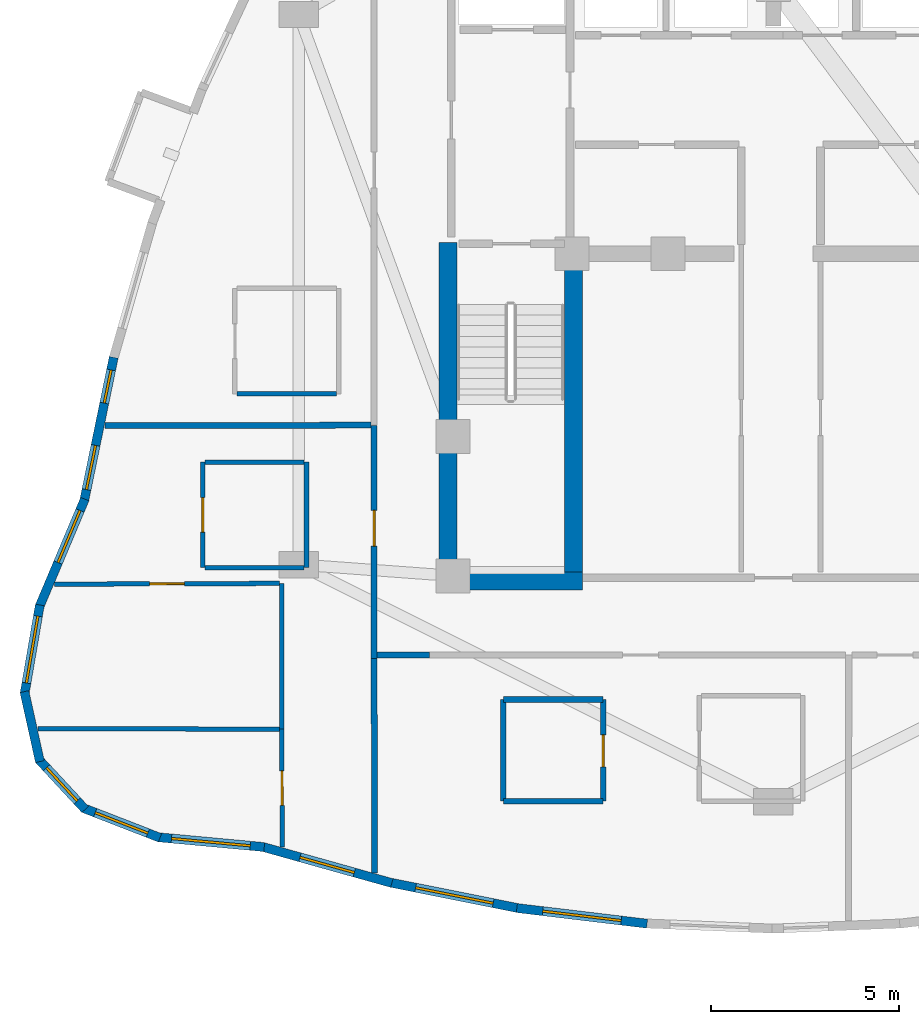
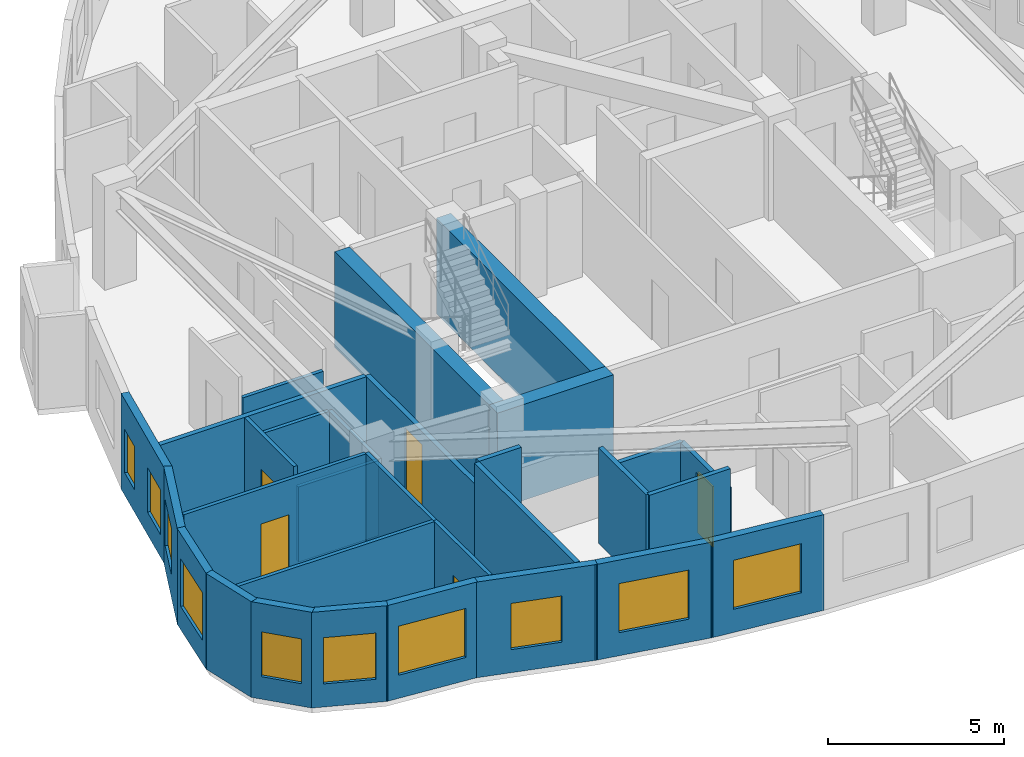
# One storey, part 6 of 12: 30 walls, 10 windows, 5 doors, 15 openings.
"""IFC4 building model written with IfcOpenShell, lengths in metres."""

from ifc_helpers import new_model, si_unit, direction, frame, frame_2d, origin, place, context, subcontext, project, spatial, rectangle, extrude, material, layer, layer_set, type_object, element, fill, save


model = new_model("IFC4")

# Units and contexts
model_context = context("Model", 3, precision=1e-05, world=origin(), true_north=direction((0.0, 1.0)))
body_context = subcontext(model_context, "Body", "Model", "MODEL_VIEW")
ifc_project = project(units=[si_unit("LENGTHUNIT", "METRE"), si_unit("AREAUNIT", "SQUARE_METRE"), si_unit("VOLUMEUNIT", "CUBIC_METRE"), si_unit("PLANEANGLEUNIT", "RADIAN"), si_unit("MASSUNIT", "GRAM", prefix="KILO")], contexts=[model_context])

# Site, building, storey
site_placement = place(None, origin())
site = spatial("IfcSite", under=ifc_project, at=site_placement, CompositionType="ELEMENT")
building_placement = place(site_placement, origin())
building = spatial("IfcBuilding", under=site, at=building_placement, Name="Miruveldt Soraemaru", CompositionType="ELEMENT")
storey_placement = place(building_placement, frame((0.0, 0.0, 248.39990234375)))
storey = spatial("IfcBuildingStorey", under=building, at=storey_placement, Name="L68", CompositionType="ELEMENT", Elevation=248.39990234375)

# Walls
ifc_material_1 = material(Name="Concrete C60/75 (60 MPa)", Category="concrete")
ifc_layer_1 = layer(ifc_material_1, 0.47998046875, Name="Concrete C60/75 (60 MPa)", Category="concrete")
ifc_layer_set_1 = layer_set([ifc_layer_1], Name="Concrete C60/75 (60 MPa)")
wall_type_1 = type_object("IfcWallType", Name="WALL-CW-480", PredefinedType="SHEAR", material=ifc_layer_set_1)
wall_1_placement = place(storey_placement, frame((35.1201171875, 35.360107421875, 0.0), z_axis=(0.0, 0.0, 1.0), x_axis=(1.0, 0.0, 0.0)))
element("IfcWall", 1, at=wall_1_placement, inside=storey, type_object=wall_type_1, Name="L68 Central Core Shear Wall S1", PredefinedType="SHEAR", context=body_context, shape_type="SweptSolid", body=[
    extrude(rectangle(XDim=3.809814453125, YDim=0.47998046875, at=frame_2d((1.90478515625, 0.0))), origin(), (0.0, 0.0, 1.0), 3.315185546875),
])
wall_2_placement = place(storey_placement, frame((35.360107421875, 35.1201171875, 0.0), z_axis=(0.0, 0.0, 1.0), x_axis=(0.0, 1.0, 0.0)))
element("IfcWall", 2, at=wall_2_placement, inside=storey, type_object=wall_type_1, Name="L68 Central Core Shear Wall W1", PredefinedType="SHEAR", context=body_context, shape_type="SweptSolid", body=[
    extrude(rectangle(XDim=9.22998046875, YDim=0.47998046875, at=frame_2d((4.614990234375, 0.0))), origin(), (0.0, 0.0, 1.0), 3.315185546875),
])
wall_3_placement = place(storey_placement, frame((38.68994140625, 35.39990234375, 0.0), z_axis=(0.0, 0.0, 1.0), x_axis=(0.0, 1.0, 0.0)))
element("IfcWall", 3, at=wall_3_placement, inside=storey, type_object=wall_type_1, Name="L68 Central Core Shear Wall SW-INT", PredefinedType="SHEAR", context=body_context, shape_type="SweptSolid", body=[
    extrude(rectangle(XDim=8.9501953125, YDim=0.47998046875, at=frame_2d((4.47509765625, 0.0))), origin(), (0.0, 0.0, 1.0), 3.315185546875),
])

# Wall, openings, windows
ifc_material_2 = material(Name="Precast concrete C45/55 (45 MPa)", Category="concrete")
ifc_layer_2 = layer(ifc_material_2, 0.239990234375, Name="Precast concrete C45/55 (45 MPa)", Category="concrete")
ifc_layer_set_2 = layer_set([ifc_layer_2], Name="Precast concrete C45/55 (45 MPa)")
wall_type_2 = type_object("IfcWallType", Name="WALL-EXT-PC240", PredefinedType="SOLIDWALL", material=ifc_layer_set_2)
wall_4_placement = place(storey_placement, frame((26.48779296875, 41.299560546875, 0.0), z_axis=(0.0, 0.0, 1.0), x_axis=(-0.201614149956, -0.979465024663, 0.0)))
wall_4 = element("IfcWall", 4, at=wall_4_placement, inside=storey, type_object=wall_type_2, Name="L68 Precast Concrete Facade Wall 14", PredefinedType="SOLIDWALL", context=body_context, shape_type="SweptSolid", body=[
    extrude(rectangle(XDim=3.908935546875, YDim=0.239990234375, at=frame_2d((1.95458984375, 0.0))), origin(), (0.0, 0.0, 1.0), 3.315185546875),
])
opening_1_placement = place(wall_4_placement, frame((0.340087890625, 0.0, 0.780029296875)))
opening_1 = element("IfcOpeningElement", 5, at=opening_1_placement, cuts=wall_4, Name="Opening WN-7", PredefinedType="OPENING", context=body_context, shape_type="SweptSolid", body=[
    extrude(rectangle(XDim=0.89990234375, YDim=1.5, at=frame_2d((0.449951171875, 0.75))), frame((0.0, 0.1298828125, 0.0), z_axis=(0.0, -1.0, 0.0), x_axis=(1.0, 0.0, 0.0)), (0.0, 0.0, 1.0), 0.260009765625),
])
opening_2_placement = place(wall_4_placement, frame((2.385009765625, 0.0, 0.780029296875)))
opening_2 = element("IfcOpeningElement", 6, at=opening_2_placement, cuts=wall_4, Name="Opening WN-4", PredefinedType="OPENING", context=body_context, shape_type="SweptSolid", body=[
    extrude(rectangle(XDim=1.199951171875, YDim=1.550048828125, at=frame_2d((0.60009765625, 0.77490234375))), frame((0.0, 0.1298828125, 0.0), z_axis=(0.0, -1.0, 0.0), x_axis=(1.0, 0.0, 0.0)), (0.0, 0.0, 1.0), 0.260009765625),
])
ifc_material_3 = material(Name="Triple low-e insulated glazing", Category="glass")
window_type_1 = type_object("IfcWindowType", Name="WIN-PUNCH-1200x1550", PartitioningType="SINGLE_PANEL", PredefinedType="WINDOW", material=ifc_material_3)
window_1_placement = place(opening_2_placement, origin())
window_1 = element("IfcWindow", 7, at=window_1_placement, inside=storey, type_object=window_type_1, Name="L68 Punched Triple-Glazed Window 14.2", OverallHeight=1.550048828125, OverallWidth=1.199951171875, PartitioningType="SINGLE_PANEL", PredefinedType="WINDOW", context=body_context, shape_type="SweptSolid", body=[
    extrude(rectangle(XDim=1.199951171875, YDim=1.550048828125, at=frame_2d((0.60009765625, 0.77490234375))), frame((0.0, 0.030029296875, 0.0), z_axis=(0.0, -1.0, 0.0), x_axis=(1.0, 0.0, 0.0)), (0.0, 0.0, 1.0), 0.06005859375),
])
fill(opening_2, window_1)
window_type_2 = type_object("IfcWindowType", Name="WIN-PUNCH-900x1500", PartitioningType="SINGLE_PANEL", PredefinedType="WINDOW", material=ifc_material_3)
window_2_placement = place(opening_1_placement, origin())
window_2 = element("IfcWindow", 8, at=window_2_placement, inside=storey, type_object=window_type_2, Name="L68 Punched Triple-Glazed Window 14.1", OverallHeight=1.5, OverallWidth=0.89990234375, PartitioningType="SINGLE_PANEL", PredefinedType="WINDOW", context=body_context, shape_type="SweptSolid", body=[
    extrude(rectangle(XDim=0.89990234375, YDim=1.5, at=frame_2d((0.449951171875, 0.75))), frame((0.0, 0.030029296875, 0.0), z_axis=(0.0, -1.0, 0.0), x_axis=(1.0, 0.0, 0.0)), (0.0, 0.0, 1.0), 0.06005859375),
])
fill(opening_1, window_2)

# Wall, opening, window
wall_5_placement = place(storey_placement, frame((25.720458984375, 37.53759765625, 0.0), z_axis=(0.0, 0.0, 1.0), x_axis=(-0.388588451794, -0.921411425549, 0.0)))
wall_5 = element("IfcWall", 9, at=wall_5_placement, inside=storey, type_object=wall_type_2, Name="L68 Precast Concrete Facade Wall 15", PredefinedType="SOLIDWALL", context=body_context, shape_type="SweptSolid", body=[
    extrude(rectangle(XDim=3.121337890625, YDim=0.239990234375, at=frame_2d((1.560546875, 0.0))), origin(), (0.0, 0.0, 1.0), 3.315185546875),
])
opening_3_placement = place(wall_5_placement, frame((0.326904296875, 0.0, 0.800048828125)))
opening_3 = element("IfcOpeningElement", 10, at=opening_3_placement, cuts=wall_5, Name="Opening WN-3", PredefinedType="OPENING", context=body_context, shape_type="SweptSolid", body=[
    extrude(rectangle(XDim=1.5, YDim=1.60009765625, at=frame_2d((0.75, 0.800048828125))), frame((0.0, 0.1298828125, 0.0), z_axis=(0.0, -1.0, 0.0), x_axis=(1.0, 0.0, 0.0)), (0.0, 0.0, 1.0), 0.260009765625),
])
window_type_3 = type_object("IfcWindowType", Name="WIN-PUNCH-1500x1600", PartitioningType="SINGLE_PANEL", PredefinedType="WINDOW", material=ifc_material_3)
window_3_placement = place(opening_3_placement, origin())
window_3 = element("IfcWindow", 11, at=window_3_placement, inside=storey, type_object=window_type_3, Name="L68 Punched Triple-Glazed Window 15.1", OverallHeight=1.60009765625, OverallWidth=1.5, PartitioningType="SINGLE_PANEL", PredefinedType="WINDOW", context=body_context, shape_type="SweptSolid", body=[
    extrude(rectangle(XDim=1.5, YDim=1.60009765625, at=frame_2d((0.75, 0.800048828125))), frame((0.0, 0.030029296875, 0.0), z_axis=(0.0, -1.0, 0.0), x_axis=(1.0, 0.0, 0.0)), (0.0, 0.0, 1.0), 0.06005859375),
])
fill(opening_3, window_3)

wall_6_placement = place(storey_placement, frame((24.527099609375, 34.728271484375, 0.0), z_axis=(0.0, 0.0, 1.0), x_axis=(-0.169386591994, -0.985549685431, 0.0)))
wall_6 = element("IfcWall", 12, at=wall_6_placement, inside=storey, type_object=wall_type_2, Name="L68 Precast Concrete Facade Wall 16", PredefinedType="SOLIDWALL", context=body_context, shape_type="SweptSolid", body=[
    extrude(rectangle(XDim=2.404052734375, YDim=0.239990234375, at=frame_2d((1.2021484375, 0.0))), origin(), (0.0, 0.0, 1.0), 3.315185546875),
])
opening_4_placement = place(wall_6_placement, frame((0.302001953125, 0.0, 0.800048828125)))
opening_4 = element("IfcOpeningElement", 13, at=opening_4_placement, cuts=wall_6, Name="Opening WN-2", PredefinedType="OPENING", context=body_context, shape_type="SweptSolid", body=[
    extrude(rectangle(XDim=1.800048828125, YDim=1.64990234375, at=frame_2d((0.89990234375, 0.824951171875))), frame((0.0, 0.1298828125, 0.0), z_axis=(0.0, -1.0, 0.0), x_axis=(1.0, 0.0, 0.0)), (0.0, 0.0, 1.0), 0.260009765625),
])
window_type_4 = type_object("IfcWindowType", Name="WIN-PUNCH-1800x1650", PartitioningType="SINGLE_PANEL", PredefinedType="WINDOW", material=ifc_material_3)
window_4_placement = place(opening_4_placement, origin())
window_4 = element("IfcWindow", 14, at=window_4_placement, inside=storey, type_object=window_type_4, Name="L68 Punched Triple-Glazed Window 16.1", OverallHeight=1.64990234375, OverallWidth=1.800048828125, PartitioningType="SINGLE_PANEL", PredefinedType="WINDOW", context=body_context, shape_type="SweptSolid", body=[
    extrude(rectangle(XDim=1.800048828125, YDim=1.64990234375, at=frame_2d((0.89990234375, 0.824951171875))), frame((0.0, 0.030029296875, 0.0), z_axis=(0.0, -1.0, 0.0), x_axis=(1.0, 0.0, 0.0)), (0.0, 0.0, 1.0), 0.06005859375),
])
fill(opening_4, window_4)

# Wall
wall_7_placement = place(storey_placement, frame((24.1181640625, 32.427490234375, 0.0), z_axis=(0.0, 0.0, 1.0), x_axis=(0.215870380253, -0.976422029109, 0.0)))
element("IfcWall", 15, at=wall_7_placement, inside=storey, type_object=wall_type_2, Name="L68 Precast Concrete Facade Wall 17", PredefinedType="SOLIDWALL", context=body_context, shape_type="SweptSolid", body=[
    extrude(rectangle(XDim=1.90234375, YDim=0.239990234375, at=frame_2d((0.951171875, 0.0))), origin(), (0.0, 0.0, 1.0), 3.315185546875),
])

# Wall, opening, window
wall_8_placement = place(storey_placement, frame((24.497314453125, 30.6298828125, 0.0), z_axis=(0.0, 0.0, 1.0), x_axis=(0.680223831063, -0.733004460869, 0.0)))
wall_8 = element("IfcWall", 16, at=wall_8_placement, inside=storey, type_object=wall_type_2, Name="L68 Precast Concrete Facade Wall 18", PredefinedType="SOLIDWALL", context=body_context, shape_type="SweptSolid", body=[
    extrude(rectangle(XDim=1.813232421875, YDim=0.239990234375, at=frame_2d((0.90673828125, 0.0))), origin(), (0.0, 0.0, 1.0), 3.315185546875),
])
opening_5_placement = place(wall_8_placement, frame((0.305908203125, 0.0, 0.780029296875)))
opening_5 = element("IfcOpeningElement", 17, at=opening_5_placement, cuts=wall_8, Name="Opening WN-4", PredefinedType="OPENING", context=body_context, shape_type="SweptSolid", body=[
    extrude(rectangle(XDim=1.199951171875, YDim=1.550048828125, at=frame_2d((0.60009765625, 0.77490234375))), frame((0.0, 0.1298828125, 0.0), z_axis=(0.0, -1.0, 0.0), x_axis=(1.0, 0.0, 0.0)), (0.0, 0.0, 1.0), 0.260009765625),
])
window_5_placement = place(opening_5_placement, origin())
window_5 = element("IfcWindow", 18, at=window_5_placement, inside=storey, type_object=window_type_1, Name="L68 Punched Triple-Glazed Window 18.1", OverallHeight=1.550048828125, OverallWidth=1.199951171875, PartitioningType="SINGLE_PANEL", PredefinedType="WINDOW", context=body_context, shape_type="SweptSolid", body=[
    extrude(rectangle(XDim=1.199951171875, YDim=1.550048828125, at=frame_2d((0.60009765625, 0.77490234375))), frame((0.0, 0.030029296875, 0.0), z_axis=(0.0, -1.0, 0.0), x_axis=(1.0, 0.0, 0.0)), (0.0, 0.0, 1.0), 0.06005859375),
])
fill(opening_5, window_5)

wall_9_placement = place(storey_placement, frame((25.67431640625, 29.339111328125, 0.0), z_axis=(0.0, 0.0, 1.0), x_axis=(0.932263874354, -0.361779032801, 0.0)))
wall_9 = element("IfcWall", 19, at=wall_9_placement, inside=storey, type_object=wall_type_2, Name="L68 Precast Concrete Facade Wall 19", PredefinedType="SOLIDWALL", context=body_context, shape_type="SweptSolid", body=[
    extrude(rectangle(XDim=2.18994140625, YDim=0.239990234375, at=frame_2d((1.094970703125, 0.0))), origin(), (0.0, 0.0, 1.0), 3.315185546875),
])
opening_6_placement = place(wall_9_placement, frame((0.344970703125, 0.0, 0.800048828125)))
opening_6 = element("IfcOpeningElement", 20, at=opening_6_placement, cuts=wall_9, Name="Opening WN-3", PredefinedType="OPENING", context=body_context, shape_type="SweptSolid", body=[
    extrude(rectangle(XDim=1.5, YDim=1.60009765625, at=frame_2d((0.75, 0.800048828125))), frame((0.0, 0.1298828125, 0.0), z_axis=(0.0, -1.0, 0.0), x_axis=(1.0, 0.0, 0.0)), (0.0, 0.0, 1.0), 0.260009765625),
])
window_6_placement = place(opening_6_placement, origin())
window_6 = element("IfcWindow", 21, at=window_6_placement, inside=storey, type_object=window_type_3, Name="L68 Punched Triple-Glazed Window 19.1", OverallHeight=1.60009765625, OverallWidth=1.5, PartitioningType="SINGLE_PANEL", PredefinedType="WINDOW", context=body_context, shape_type="SweptSolid", body=[
    extrude(rectangle(XDim=1.5, YDim=1.60009765625, at=frame_2d((0.75, 0.800048828125))), frame((0.0, 0.030029296875, 0.0), z_axis=(0.0, -1.0, 0.0), x_axis=(1.0, 0.0, 0.0)), (0.0, 0.0, 1.0), 0.06005859375),
])
fill(opening_6, window_6)

wall_10_placement = place(storey_placement, frame((27.648193359375, 28.562744140625, 0.0), z_axis=(0.0, 0.0, 1.0), x_axis=(0.995763661797, -0.091949604915, 0.0)))
wall_10 = element("IfcWall", 22, at=wall_10_placement, inside=storey, type_object=wall_type_2, Name="L68 Precast Concrete Facade Wall 20", PredefinedType="SOLIDWALL", context=body_context, shape_type="SweptSolid", body=[
    extrude(rectangle(XDim=2.848876953125, YDim=0.239990234375, at=frame_2d((1.42431640625, 0.0))), origin(), (0.0, 0.0, 1.0), 3.315185546875),
])
opening_7_placement = place(wall_10_placement, frame((0.375, 0.0, 0.800048828125)))
opening_7 = element("IfcOpeningElement", 23, at=opening_7_placement, cuts=wall_10, Name="Opening WN-1", PredefinedType="OPENING", context=body_context, shape_type="SweptSolid", body=[
    extrude(rectangle(XDim=2.10009765625, YDim=1.699951171875, at=frame_2d((1.050048828125, 0.85009765625))), frame((0.0, 0.1298828125, 0.0), z_axis=(0.0, -1.0, 0.0), x_axis=(1.0, 0.0, 0.0)), (0.0, 0.0, 1.0), 0.260009765625),
])
window_type_5 = type_object("IfcWindowType", Name="WIN-PUNCH-2100x1700", PartitioningType="SINGLE_PANEL", PredefinedType="WINDOW", material=ifc_material_3)
window_7_placement = place(opening_7_placement, origin())
window_7 = element("IfcWindow", 24, at=window_7_placement, inside=storey, type_object=window_type_5, Name="L68 Punched Triple-Glazed Window 20.1", OverallHeight=1.699951171875, OverallWidth=2.10009765625, PartitioningType="SINGLE_PANEL", PredefinedType="WINDOW", context=body_context, shape_type="SweptSolid", body=[
    extrude(rectangle(XDim=2.10009765625, YDim=1.699951171875, at=frame_2d((1.050048828125, 0.85009765625))), frame((0.0, 0.030029296875, 0.0), z_axis=(0.0, -1.0, 0.0), x_axis=(1.0, 0.0, 0.0)), (0.0, 0.0, 1.0), 0.06005859375),
])
fill(opening_7, window_7)

wall_11_placement = place(storey_placement, frame((30.41650390625, 28.3134765625, 0.0), z_axis=(0.0, 0.0, 1.0), x_axis=(0.962964019714, -0.26962992552, 0.0)))
wall_11 = element("IfcWall", 25, at=wall_11_placement, inside=storey, type_object=wall_type_2, Name="L68 Precast Concrete Facade Wall 21", PredefinedType="SOLIDWALL", context=body_context, shape_type="SweptSolid", body=[
    extrude(rectangle(XDim=3.58740234375, YDim=0.239990234375, at=frame_2d((1.793701171875, 0.0))), origin(), (0.0, 0.0, 1.0), 3.315185546875),
])
opening_8_placement = place(wall_11_placement, frame((1.053955078125, 0.0, 0.800048828125)))
opening_8 = element("IfcOpeningElement", 26, at=opening_8_placement, cuts=wall_11, Name="Opening WN-3", PredefinedType="OPENING", context=body_context, shape_type="SweptSolid", body=[
    extrude(rectangle(XDim=1.5, YDim=1.60009765625, at=frame_2d((0.75, 0.800048828125))), frame((0.0, 0.1298828125, 0.0), z_axis=(0.0, -1.0, 0.0), x_axis=(1.0, 0.0, 0.0)), (0.0, 0.0, 1.0), 0.260009765625),
])
window_8_placement = place(opening_8_placement, origin())
window_8 = element("IfcWindow", 27, at=window_8_placement, inside=storey, type_object=window_type_3, Name="L68 Punched Triple-Glazed Window 21.1", OverallHeight=1.60009765625, OverallWidth=1.5, PartitioningType="SINGLE_PANEL", PredefinedType="WINDOW", context=body_context, shape_type="SweptSolid", body=[
    extrude(rectangle(XDim=1.5, YDim=1.60009765625, at=frame_2d((0.75, 0.800048828125))), frame((0.0, 0.030029296875, 0.0), z_axis=(0.0, -1.0, 0.0), x_axis=(1.0, 0.0, 0.0)), (0.0, 0.0, 1.0), 0.06005859375),
])
fill(opening_8, window_8)

wall_12_placement = place(storey_placement, frame((33.80322265625, 27.3623046875, 0.0), z_axis=(0.0, 0.0, 1.0), x_axis=(0.980583339824, -0.196102814004, 0.0)))
wall_12 = element("IfcWall", 28, at=wall_12_placement, inside=storey, type_object=wall_type_2, Name="L68 Precast Concrete Facade Wall 22", PredefinedType="SOLIDWALL", context=body_context, shape_type="SweptSolid", body=[
    extrude(rectangle(XDim=3.5244140625, YDim=0.239990234375, at=frame_2d((1.76220703125, 0.0))), origin(), (0.0, 0.0, 1.0), 3.315185546875),
])
opening_9_placement = place(wall_12_placement, frame((0.712890625, 0.0, 0.800048828125)))
opening_9 = element("IfcOpeningElement", 29, at=opening_9_placement, cuts=wall_12, Name="Opening WN-1", PredefinedType="OPENING", context=body_context, shape_type="SweptSolid", body=[
    extrude(rectangle(XDim=2.10009765625, YDim=1.699951171875, at=frame_2d((1.050048828125, 0.85009765625))), frame((0.0, 0.1298828125, 0.0), z_axis=(0.0, -1.0, 0.0), x_axis=(1.0, 0.0, 0.0)), (0.0, 0.0, 1.0), 0.260009765625),
])
window_9_placement = place(opening_9_placement, origin())
window_9 = element("IfcWindow", 30, at=window_9_placement, inside=storey, type_object=window_type_5, Name="L68 Punched Triple-Glazed Window 22.1", OverallHeight=1.699951171875, OverallWidth=2.10009765625, PartitioningType="SINGLE_PANEL", PredefinedType="WINDOW", context=body_context, shape_type="SweptSolid", body=[
    extrude(rectangle(XDim=2.10009765625, YDim=1.699951171875, at=frame_2d((1.050048828125, 0.85009765625))), frame((0.0, 0.030029296875, 0.0), z_axis=(0.0, -1.0, 0.0), x_axis=(1.0, 0.0, 0.0)), (0.0, 0.0, 1.0), 0.06005859375),
])
fill(opening_9, window_9)

wall_13_placement = place(storey_placement, frame((37.190185546875, 26.68212890625, 0.0), z_axis=(0.0, 0.0, 1.0), x_axis=(0.992878497347, -0.119131395974, 0.0)))
wall_13 = element("IfcWall", 31, at=wall_13_placement, inside=storey, type_object=wall_type_2, Name="L68 Precast Concrete Facade Wall 23", PredefinedType="SOLIDWALL", context=body_context, shape_type="SweptSolid", body=[
    extrude(rectangle(XDim=3.48193359375, YDim=0.239990234375, at=frame_2d((1.740966796875, 0.0))), origin(), (0.0, 0.0, 1.0), 3.315185546875),
])
opening_10_placement = place(wall_13_placement, frame((0.69091796875, 0.0, 0.800048828125)))
opening_10 = element("IfcOpeningElement", 32, at=opening_10_placement, cuts=wall_13, Name="Opening WN-1", PredefinedType="OPENING", context=body_context, shape_type="SweptSolid", body=[
    extrude(rectangle(XDim=2.10009765625, YDim=1.699951171875, at=frame_2d((1.050048828125, 0.85009765625))), frame((0.0, 0.1298828125, 0.0), z_axis=(0.0, -1.0, 0.0), x_axis=(1.0, 0.0, 0.0)), (0.0, 0.0, 1.0), 0.260009765625),
])
window_10_placement = place(opening_10_placement, origin())
window_10 = element("IfcWindow", 33, at=window_10_placement, inside=storey, type_object=window_type_5, Name="L68 Punched Triple-Glazed Window 23.1", OverallHeight=1.699951171875, OverallWidth=2.10009765625, PartitioningType="SINGLE_PANEL", PredefinedType="WINDOW", context=body_context, shape_type="SweptSolid", body=[
    extrude(rectangle(XDim=2.10009765625, YDim=1.699951171875, at=frame_2d((1.050048828125, 0.85009765625))), frame((0.0, 0.030029296875, 0.0), z_axis=(0.0, -1.0, 0.0), x_axis=(1.0, 0.0, 0.0)), (0.0, 0.0, 1.0), 0.06005859375),
])
fill(opening_10, window_10)

# Wall, opening, door
ifc_material_4 = material(Name="Gypsum plasterboard lining", Category="gypsum")
ifc_layer_3 = layer(ifc_material_4, 0.1201171875, Name="Gypsum plasterboard lining", Category="gypsum")
ifc_layer_set_3 = layer_set([ifc_layer_3], Name="Gypsum plasterboard lining")
wall_type_3 = type_object("IfcWallType", Name="WALL-INT-P120", PredefinedType="PARTITIONING", material=ifc_layer_set_3)
wall_14_placement = place(storey_placement, frame((24.9140625, 35.279052734375, 0.0), z_axis=(0.0, 0.0, 1.0), x_axis=(0.999993827707, 0.003513480785, 0.0)))
wall_14 = element("IfcWall", 34, at=wall_14_placement, inside=storey, type_object=wall_type_3, Name="L68 Partition Wall 31", PredefinedType="PARTITIONING", context=body_context, shape_type="SweptSolid", body=[
    extrude(rectangle(XDim=5.975830078125, YDim=0.1201171875, at=frame_2d((2.98779296875, 0.0))), origin(), (0.0, 0.0, 1.0), 3.315185546875),
])
opening_11_placement = place(wall_14_placement, frame((2.528076171875, 0.0, 0.0)))
opening_11 = element("IfcOpeningElement", 35, at=opening_11_placement, cuts=wall_14, Name="Opening D3A", PredefinedType="OPENING", context=body_context, shape_type="SweptSolid", body=[
    extrude(rectangle(XDim=0.919921875, YDim=2.10009765625, at=frame_2d((0.4599609375, 1.050048828125))), frame((0.0, 0.070068359375, 0.0), z_axis=(0.0, -1.0, 0.0), x_axis=(1.0, 0.0, 0.0)), (0.0, 0.0, 1.0), 0.14013671875),
])
ifc_material_5 = material(Name="Anodised aluminium EN AW-6063 T6", Category="aluminium")
door_type_1 = type_object("IfcDoorType", Name="DOOR-INT-920", OperationType="NOTDEFINED", PredefinedType="DOOR", material=ifc_material_5)
door_1_placement = place(opening_11_placement, origin())
door_1 = element("IfcDoor", 36, at=door_1_placement, inside=storey, type_object=door_type_1, Name="L68 Unit 6803 EXT Door", OperationType="SINGLE_SWING_RIGHT", OverallHeight=2.10009765625, OverallWidth=0.919921875, PredefinedType="DOOR", context=body_context, shape_type="SweptSolid", body=[
    extrude(rectangle(XDim=0.919921875, YDim=2.10009765625, at=frame_2d((0.4599609375, 1.050048828125))), frame((0.0, 0.02490234375, 0.0), z_axis=(0.0, -1.0, 0.0), x_axis=(1.0, 0.0, 0.0)), (0.0, 0.0, 1.0), 0.050048828125),
])
fill(opening_11, door_1)

wall_15_placement = place(storey_placement, frame((30.949951171875, 31.430908203125, 0.0), z_axis=(0.0, 0.0, 1.0), x_axis=(0.004834628463, -0.999988313116, 0.0)))
wall_15 = element("IfcWall", 37, at=wall_15_placement, inside=storey, type_object=wall_type_3, Name="L68 Partition Wall 30", PredefinedType="PARTITIONING", context=body_context, shape_type="SweptSolid", body=[
    extrude(rectangle(XDim=3.130859375, YDim=0.1201171875, at=frame_2d((1.5654296875, 0.0))), origin(), (0.0, 0.0, 1.0), 3.315185546875),
])
opening_12_placement = place(wall_15_placement, frame((1.10595703125, 0.0, 0.0)))
opening_12 = element("IfcOpeningElement", 38, at=opening_12_placement, cuts=wall_15, Name="Opening D3A", PredefinedType="OPENING", context=body_context, shape_type="SweptSolid", body=[
    extrude(rectangle(XDim=0.919921875, YDim=2.10009765625, at=frame_2d((0.4599609375, 1.050048828125))), frame((0.0, 0.070068359375, 0.0), z_axis=(0.0, -1.0, 0.0), x_axis=(1.0, 0.0, 0.0)), (0.0, 0.0, 1.0), 0.14013671875),
])
door_2_placement = place(opening_12_placement, origin())
door_2 = element("IfcDoor", 39, at=door_2_placement, inside=storey, type_object=door_type_1, Name="L68 Unit 6803 BD1 Door", OperationType="SINGLE_SWING_LEFT", OverallHeight=2.10009765625, OverallWidth=0.919921875, PredefinedType="DOOR", context=body_context, shape_type="SweptSolid", body=[
    extrude(rectangle(XDim=0.919921875, YDim=2.10009765625, at=frame_2d((0.4599609375, 1.050048828125))), frame((0.0, 0.02490234375, 0.0), z_axis=(0.0, -1.0, 0.0), x_axis=(1.0, 0.0, 0.0)), (0.0, 0.0, 1.0), 0.050048828125),
])
fill(opening_12, door_2)

wall_16_placement = place(storey_placement, frame((28.85595703125, 38.52001953125, 0.0), z_axis=(0.0, 0.0, 1.0), x_axis=(0.0, -1.0, 0.0)))
wall_16 = element("IfcWall", 40, at=wall_16_placement, inside=storey, type_object=wall_type_3, Name="L68 Partition Wall 28", PredefinedType="PARTITIONING", context=body_context, shape_type="SweptSolid", body=[
    extrude(rectangle(XDim=2.800048828125, YDim=0.1201171875, at=frame_2d((1.39990234375, 0.0))), origin(), (0.0, 0.0, 1.0), 3.315185546875),
])
opening_13_placement = place(wall_16_placement, frame((0.93994140625, 0.0, 0.0)))
opening_13 = element("IfcOpeningElement", 41, at=opening_13_placement, cuts=wall_16, Name="Opening D3A", PredefinedType="OPENING", context=body_context, shape_type="SweptSolid", body=[
    extrude(rectangle(XDim=0.919921875, YDim=2.10009765625, at=frame_2d((0.4599609375, 1.050048828125))), frame((0.0, 0.070068359375, 0.0), z_axis=(0.0, -1.0, 0.0), x_axis=(1.0, 0.0, 0.0)), (0.0, 0.0, 1.0), 0.14013671875),
])
door_3_placement = place(opening_13_placement, origin())
door_3 = element("IfcDoor", 42, at=door_3_placement, inside=storey, type_object=door_type_1, Name="L68 Unit 6803 KIT Door", OperationType="SINGLE_SWING_RIGHT", OverallHeight=2.10009765625, OverallWidth=0.919921875, PredefinedType="DOOR", context=body_context, shape_type="SweptSolid", body=[
    extrude(rectangle(XDim=0.919921875, YDim=2.10009765625, at=frame_2d((0.4599609375, 1.050048828125))), frame((0.0, 0.02490234375, 0.0), z_axis=(0.0, -1.0, 0.0), x_axis=(1.0, 0.0, 0.0)), (0.0, 0.0, 1.0), 0.050048828125),
])
fill(opening_13, door_3)

# Walls
wall_17_placement = place(storey_placement, frame((30.889892578125, 31.430908203125, 0.0), z_axis=(0.0, 0.0, 1.0), x_axis=(-0.999998189948, 0.001902656475, 0.0)))
element("IfcWall", 43, at=wall_17_placement, inside=storey, type_object=wall_type_3, Name="L68 Partition Wall 34", PredefinedType="PARTITIONING", context=body_context, shape_type="SweptSolid", body=[
    extrude(rectangle(XDim=6.415771484375, YDim=0.1201171875, at=frame_2d((3.2080078125, 0.0))), origin(), (0.0, 0.0, 1.0), 3.315185546875),
])
wall_18_placement = place(storey_placement, frame((30.949951171875, 35.300048828125, 0.0), z_axis=(0.0, 0.0, 1.0), x_axis=(0.0, -1.0, 0.0)))
element("IfcWall", 44, at=wall_18_placement, inside=storey, type_object=wall_type_3, Name="L68 Partition Wall 32", PredefinedType="PARTITIONING", context=body_context, shape_type="SweptSolid", body=[
    extrude(rectangle(XDim=3.869140625, YDim=0.1201171875, at=frame_2d((1.9345703125, 0.0))), origin(), (0.0, 0.0, 1.0), 3.315185546875),
])
wall_19_placement = place(storey_placement, frame((31.60595703125, 35.719970703125, 0.0), z_axis=(0.0, 0.0, 1.0), x_axis=(0.0, 1.0, 0.0)))
element("IfcWall", 45, at=wall_19_placement, inside=storey, type_object=wall_type_3, Name="L68 Partition Wall 26", PredefinedType="PARTITIONING", context=body_context, shape_type="SweptSolid", body=[
    extrude(rectangle(XDim=2.800048828125, YDim=0.1201171875, at=frame_2d((1.39990234375, 0.0))), origin(), (0.0, 0.0, 1.0), 2.60302734375),
])
for number, where, z_axis, x_axis, name in (
    (46, (29.76708984375, 40.330078125, 0.0), (0.0, 0.0, 1.0), (1.0, 0.0, 0.0), "L68 Partition Wall 24"),
    (47, (31.5458984375, 38.52001953125, 0.0), (0.0, 0.0, 1.0), (-1.0, 0.0, 0.0), "L68 Partition Wall 27"),
    (48, (28.916015625, 35.719970703125, 0.0), (0.0, 0.0, 1.0), (1.0, 0.0, 0.0), "L68 Partition Wall 29"),
):
    element("IfcWall", number, at=place(storey_placement, frame(where, z_axis=z_axis, x_axis=x_axis)), inside=storey, type_object=wall_type_3, Name=name, PredefinedType="PARTITIONING", context=body_context, shape_type="SweptSolid", body=[
        extrude(rectangle(XDim=2.6298828125, YDim=0.1201171875, at=frame_2d((1.31494140625, 0.0))), origin(), (0.0, 0.0, 1.0), 2.60302734375),
    ])

# Wall, opening, door
ifc_layer_4 = layer(ifc_material_4, 0.14990234375, Name="Gypsum plasterboard lining", Category="gypsum")
ifc_layer_set_4 = layer_set([ifc_layer_4], Name="Gypsum plasterboard lining")
wall_type_4 = type_object("IfcWallType", Name="WALL-INT-PLUMB", PredefinedType="PLUMBINGWALL", material=ifc_layer_set_4)
wall_20_placement = place(storey_placement, frame((39.47998046875, 29.51806640625, 0.0), z_axis=(0.0, 0.0, 1.0), x_axis=(0.0, 1.0, 0.0)))
wall_20 = element("IfcWall", 49, at=wall_20_placement, inside=storey, type_object=wall_type_4, Name="L68 Partition Wall 35", PredefinedType="PLUMBINGWALL", context=body_context, shape_type="SweptSolid", body=[
    extrude(rectangle(XDim=2.699951171875, YDim=0.14990234375, at=frame_2d((1.35009765625, 0.0))), origin(), (0.0, 0.0, 1.0), 2.60302734375),
])
opening_14_placement = place(wall_20_placement, frame((0.909912109375, 0.0, 0.0)))
opening_14 = element("IfcOpeningElement", 50, at=opening_14_placement, cuts=wall_20, Name="Opening FD3", PredefinedType="OPENING", context=body_context, shape_type="SweptSolid", body=[
    extrude(rectangle(XDim=0.85009765625, YDim=2.10009765625, at=frame_2d((0.425048828125, 1.050048828125))), frame((0.0, 0.0849609375, 0.0), z_axis=(0.0, -1.0, 0.0), x_axis=(1.0, 0.0, 0.0)), (0.0, 0.0, 1.0), 0.169921875),
])
door_type_2 = type_object("IfcDoorType", Name="DOOR-FD3-850", OperationType="NOTDEFINED", PredefinedType="DOOR", material=ifc_material_5)
door_4_placement = place(opening_14_placement, origin())
door_4 = element("IfcDoor", 51, at=door_4_placement, inside=storey, type_object=door_type_2, Name="L68 Unit 6804 BTH Door", OperationType="SINGLE_SWING_RIGHT", OverallHeight=2.10009765625, OverallWidth=0.85009765625, PredefinedType="DOOR", context=body_context, shape_type="SweptSolid", body=[
    extrude(rectangle(XDim=0.85009765625, YDim=2.10009765625, at=frame_2d((0.425048828125, 1.050048828125))), frame((0.0, 0.02490234375, 0.0), z_axis=(0.0, -1.0, 0.0), x_axis=(1.0, 0.0, 0.0)), (0.0, 0.0, 1.0), 0.050048828125),
])
fill(opening_14, door_4)

# Walls
wall_21_placement = place(storey_placement, frame((36.830078125, 32.218017578125, 0.0), z_axis=(0.0, 0.0, 1.0), x_axis=(0.0, -1.0, 0.0)))
element("IfcWall", 52, at=wall_21_placement, inside=storey, type_object=wall_type_4, Name="L68 Partition Wall 37", PredefinedType="PLUMBINGWALL", context=body_context, shape_type="SweptSolid", body=[
    extrude(rectangle(XDim=2.699951171875, YDim=0.14990234375, at=frame_2d((1.35009765625, 0.0))), origin(), (0.0, 0.0, 1.0), 3.315185546875),
])
wall_22_placement = place(storey_placement, frame((39.47998046875, 32.218017578125, 0.0), z_axis=(0.0, 0.0, 1.0), x_axis=(-1.0, 0.0, 0.0)))
element("IfcWall", 53, at=wall_22_placement, inside=storey, type_object=wall_type_4, Name="L68 Partition Wall 36", PredefinedType="PLUMBINGWALL", context=body_context, shape_type="SweptSolid", body=[
    extrude(rectangle(XDim=2.64990234375, YDim=0.14990234375, at=frame_2d((1.324951171875, 0.0))), origin(), (0.0, 0.0, 1.0), 2.60302734375),
])
wall_23_placement = place(storey_placement, frame((36.830078125, 29.51806640625, 0.0), z_axis=(0.0, 0.0, 1.0), x_axis=(1.0, 0.0, 0.0)))
element("IfcWall", 54, at=wall_23_placement, inside=storey, type_object=wall_type_4, Name="L68 Partition Wall 38", PredefinedType="PLUMBINGWALL", context=body_context, shape_type="SweptSolid", body=[
    extrude(rectangle(XDim=2.64990234375, YDim=0.14990234375, at=frame_2d((1.324951171875, 0.0))), origin(), (0.0, 0.0, 1.0), 3.315185546875),
])

# Wall, opening, door
ifc_material_6 = material(Name="Concrete C40/50 (40 MPa)", Category="concrete")
ifc_layer_5 = layer(ifc_material_6, 0.159912109375, Name="Concrete C40/50 (40 MPa)", Category="concrete")
ifc_layer_set_5 = layer_set([ifc_layer_5], Name="Concrete C40/50 (40 MPa)")
wall_type_5 = type_object("IfcWallType", Name="WALL-INT-RC160", PredefinedType="SOLIDWALL", material=ifc_layer_set_5)
wall_24_placement = place(storey_placement, frame((33.39990234375, 39.4970703125, 0.0), z_axis=(0.0, 0.0, 1.0), x_axis=(0.0, -1.0, 0.0)))
wall_24 = element("IfcWall", 55, at=wall_24_placement, inside=storey, type_object=wall_type_5, Name="L68 Partition Wall 5", PredefinedType="SOLIDWALL", context=body_context, shape_type="SweptSolid", body=[
    extrude(rectangle(XDim=6.18701171875, YDim=0.159912109375, at=frame_2d((3.093505859375, 0.0))), origin(), (0.0, 0.0, 1.0), 2.60302734375),
])
opening_15_placement = place(wall_24_placement, frame((2.258056640625, 0.0, 0.0)))
opening_15 = element("IfcOpeningElement", 56, at=opening_15_placement, cuts=wall_24, Name="Opening FD2", PredefinedType="OPENING", context=body_context, shape_type="SweptSolid", body=[
    extrude(rectangle(XDim=0.949951171875, YDim=2.14990234375, at=frame_2d((0.47509765625, 1.074951171875))), frame((0.0, 0.08984375, 0.0), z_axis=(0.0, -1.0, 0.0), x_axis=(1.0, 0.0, 0.0)), (0.0, 0.0, 1.0), 0.179931640625),
])
door_type_3 = type_object("IfcDoorType", Name="DOOR-FD2-950", OperationType="NOTDEFINED", PredefinedType="DOOR", material=ifc_material_5)
door_5_placement = place(opening_15_placement, origin())
door_5 = element("IfcDoor", 57, at=door_5_placement, inside=storey, type_object=door_type_3, Name="L68 Unit 6803 Entrance Fire Door", OperationType="SINGLE_SWING_LEFT", OverallHeight=2.14990234375, OverallWidth=0.949951171875, PredefinedType="DOOR", context=body_context, shape_type="SweptSolid", body=[
    extrude(rectangle(XDim=0.949951171875, YDim=2.14990234375, at=frame_2d((0.47509765625, 1.074951171875))), frame((0.0, 0.02490234375, 0.0), z_axis=(0.0, -1.0, 0.0), x_axis=(1.0, 0.0, 0.0)), (0.0, 0.0, 1.0), 0.050048828125),
])
fill(opening_15, door_5)

# Walls
wall_25_placement = place(storey_placement, frame((26.2529296875, 39.489013671875, 0.0), z_axis=(0.0, 0.0, 1.0), x_axis=(0.99999879058, 0.001555261823, 0.0)))
element("IfcWall", 58, at=wall_25_placement, inside=storey, type_object=wall_type_5, Name="L68 Partition Wall 25", PredefinedType="SOLIDWALL", context=body_context, shape_type="SweptSolid", body=[
    extrude(rectangle(XDim=7.06396484375, YDim=0.159912109375, at=frame_2d((3.531982421875, 0.0))), origin(), (0.0, 0.0, 1.0), 2.60302734375),
])
wall_26_placement = place(storey_placement, frame((33.4150390625, 27.614013671875, 0.0), z_axis=(0.0, 0.0, 1.0), x_axis=(-0.002614538233, 0.999996582089, 0.0)))
element("IfcWall", 59, at=wall_26_placement, inside=storey, type_object=wall_type_5, Name="L68 Partition Wall 33", PredefinedType="SOLIDWALL", context=body_context, shape_type="SweptSolid", body=[
    extrude(rectangle(XDim=5.696044921875, YDim=0.159912109375, at=frame_2d((2.84814453125, 0.0))), origin(), (0.0, 0.0, 1.0), 3.315185546875),
])
wall_27_placement = place(storey_placement, frame((33.47998046875, 33.39990234375, 0.0), z_axis=(0.0, 0.0, 1.0), x_axis=(1.0, 0.0, 0.0)))
element("IfcWall", 60, at=wall_27_placement, inside=storey, type_object=wall_type_5, Name="L68 Partition Wall 6", PredefinedType="SOLIDWALL", context=body_context, shape_type="SweptSolid", body=[
    extrude(rectangle(XDim=1.39013671875, YDim=0.159912109375, at=frame_2d((0.695068359375, 0.0))), origin(), (0.0, 0.0, 1.0), 3.315185546875),
])

save(model, "model.ifc")
